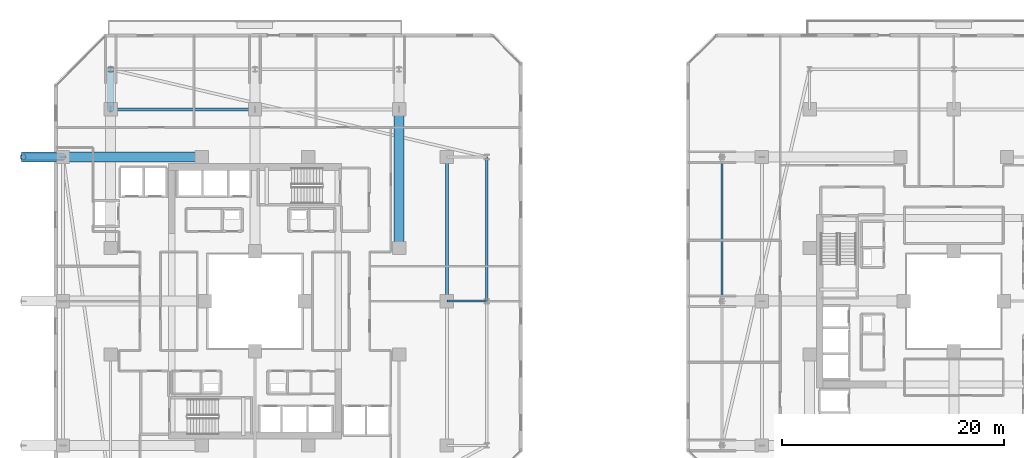
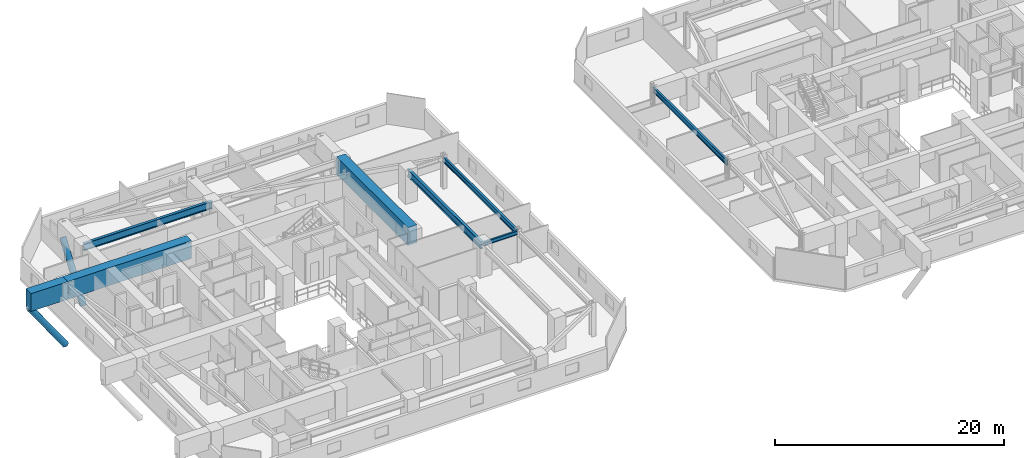
# One storey, part 7 of 36: 8 beams, 2 members.
"""IFC4 building model written with IfcOpenShell, lengths in metres."""

from ifc_helpers import new_model, si_unit, direction, frame, origin, origin_2d, place, context, subcontext, project, spatial, rectangle, hollow_circle, i_section, extrude, material, material_profile, profile_set, type_object, element, save


model = new_model("IFC4")

# Units and contexts
model_context = context("Model", 3, precision=1e-05, world=origin(), true_north=direction((0.0, 1.0)))
body_context = subcontext(model_context, "Body", "Model", "MODEL_VIEW")
ifc_project = project(units=[si_unit("LENGTHUNIT", "METRE"), si_unit("AREAUNIT", "SQUARE_METRE"), si_unit("VOLUMEUNIT", "CUBIC_METRE"), si_unit("PLANEANGLEUNIT", "RADIAN"), si_unit("MASSUNIT", "GRAM", prefix="KILO")], contexts=[model_context])

# Site, building, storey
site_placement = place(None, origin())
site = spatial("IfcSite", under=ifc_project, at=site_placement, CompositionType="ELEMENT")
building_placement = place(site_placement, origin())
building = spatial("IfcBuilding", under=site, at=building_placement, Name="Thornwick Lancets Civic Towers", CompositionType="ELEMENT")
storey_placement = place(building_placement, frame((0.0, 0.0, 94.5)))
storey = spatial("IfcBuildingStorey", under=building, at=storey_placement, Name="L24", CompositionType="ELEMENT", Elevation=94.5)

# Beams
ifc_material_1 = material(Name="Steel S355JR", Category="steel")
ifc_material_profile_1 = material_profile(ifc_material_1, i_section(OverallWidth=0.2119140625, OverallDepth=0.54443359375, WebThickness=0.0126953125, FlangeThickness=0.021240234375, FilletRadius=0.0126953125, at=origin_2d()), Name="UKB 533x210x122")
ifc_profile_set_1 = profile_set([ifc_material_profile_1], Name="Steel S355JR")
beam_type_1 = type_object("IfcBeamType", Name="BM_EDGE_533_122", PredefinedType="SPANDREL", material=ifc_profile_set_1)
for number, where, z_axis, x_axis, name in (
    (1, (46.39990234375, 27.080078125, 3.047607421875), (0.0, 1.0, 0.0), (-1.0, 0.0, 0.0), "BM-EDGE-L24-A-S1-2"),
    (2, (67.60009765625, 27.080078125, 3.047607421875), (0.0, 1.0, 0.0), (-1.0, 0.0, 0.0), "BM-EDGE-L24-B-S2-2"),
):
    element("IfcBeam", number, at=place(storey_placement, frame(where, z_axis=z_axis, x_axis=x_axis)), inside=storey, type_object=beam_type_1, Name=name, PredefinedType="SPANDREL", context=body_context, shape_type="SweptSolid", body=[
        extrude(i_section(OverallWidth=0.2119140625, OverallDepth=0.54443359375, WebThickness=0.0126953125, FlangeThickness=0.021240234375, FilletRadius=0.0126953125, at=origin_2d()), origin(), (0.0, 0.0, 1.0), 12.919921875),
    ])
ifc_material_profile_2 = material_profile(ifc_material_1, i_section(OverallWidth=0.26806640625, OverallDepth=0.769775390625, WebThickness=0.015625, FlangeThickness=0.025390625, FilletRadius=0.0166015625, at=origin_2d()), Name="UKB 762x267x197")
ifc_profile_set_2 = profile_set([ifc_material_profile_2], Name="Steel S355JR")
beam_type_2 = type_object("IfcBeamType", Name="BM_GIRD_762_197", PredefinedType="BEAM", material=ifc_profile_set_2)
beam_1_placement = place(storey_placement, frame((42.800048828125, 27.080078125, 2.93505859375), z_axis=(0.0, 1.0, 0.0), x_axis=(-1.0, 0.0, 0.0)))
element("IfcBeam", 3, at=beam_1_placement, inside=storey, type_object=beam_type_2, Name="BM-SPINE-L24-A-4-5", PredefinedType="BEAM", context=body_context, shape_type="SweptSolid", body=[
    extrude(i_section(OverallWidth=0.26806640625, OverallDepth=0.769775390625, WebThickness=0.015625, FlangeThickness=0.025390625, FilletRadius=0.0166015625, at=origin_2d()), origin(), (0.0, 0.0, 1.0), 12.919921875),
])
beam_2_placement = place(storey_placement, frame((12.5, 44.300048828125, 2.93505859375), z_axis=(1.0, 0.0, 0.0), x_axis=(0.0, 1.0, 0.0)))
element("IfcBeam", 4, at=beam_2_placement, inside=storey, type_object=beam_type_2, Name="BM-SPINE-L24-A-6-7", PredefinedType="BEAM", context=body_context, shape_type="SweptSolid", body=[
    extrude(i_section(OverallWidth=0.26806640625, OverallDepth=0.769775390625, WebThickness=0.015625, FlangeThickness=0.025390625, FilletRadius=0.0166015625, at=origin_2d()), origin(), (0.0, 0.0, 1.0), 13.0),
])
ifc_material_profile_3 = material_profile(ifc_material_1, i_section(OverallWidth=0.179443359375, OverallDepth=0.412841796875, WebThickness=0.009521484375, FlangeThickness=0.01611328125, FilletRadius=0.01025390625, at=origin_2d()), Name="UKB 406x178x74")
ifc_profile_set_3 = profile_set([ifc_material_profile_3], Name="Steel S355JR")
beam_type_3 = type_object("IfcBeamType", Name="BM_JOIST_406_74", PredefinedType="JOIST", material=ifc_profile_set_3)
beam_3_placement = place(storey_placement, frame((42.800048828125, 27.0, 3.113525390625), z_axis=(1.0, 0.0, 0.0), x_axis=(0.0, 1.0, 0.0)))
element("IfcBeam", 5, at=beam_3_placement, inside=storey, type_object=beam_type_3, Name="BM-RAD-L24-A05", PredefinedType="JOIST", context=body_context, shape_type="SweptSolid", body=[
    extrude(i_section(OverallWidth=0.179443359375, OverallDepth=0.412841796875, WebThickness=0.009521484375, FlangeThickness=0.01611328125, FilletRadius=0.01025390625, at=origin_2d()), origin(), (0.0, 0.0, 1.0), 3.599853515625),
])
ifc_material_2 = material(Name="Concrete C60/75", Category="concrete")
ifc_material_profile_4 = material_profile(ifc_material_2, rectangle(XDim=0.89990234375, YDim=1.89990234375, at=origin_2d()), Name="RC 900x1900")
ifc_profile_set_4 = profile_set([ifc_material_profile_4], Name="Concrete C60/75")
beam_type_4 = type_object("IfcBeamType", Name="BM_TR_RC1900", PredefinedType="BEAM", material=ifc_profile_set_4)
for number, where, z_axis, x_axis, name in (
    (6, (38.5, 31.800048828125, 2.64990234375), (0.0, 1.0, 0.0), (-1.0, 0.0, 0.0), "TG-BACK-L25-A09"),
    (7, (20.699951171875, 40.0, 2.64990234375), (-1.0, 0.0, 0.0), (0.0, -1.0, 0.0), "TG-BACK-L25-A12"),
):
    element("IfcBeam", number, at=place(storey_placement, frame(where, z_axis=z_axis, x_axis=x_axis)), inside=storey, type_object=beam_type_4, Name=name, PredefinedType="BEAM", context=body_context, shape_type="SweptSolid", body=[
        extrude(rectangle(XDim=0.89990234375, YDim=1.89990234375, at=origin_2d()), origin(), (0.0, 0.0, 1.0), 12.5),
    ])
beam_4_placement = place(storey_placement, frame((8.199951171875, 40.0, 2.64990234375), z_axis=(-1.0, 0.0, 0.0), x_axis=(0.0, -1.0, 0.0)))
element("IfcBeam", 8, at=beam_4_placement, inside=storey, type_object=beam_type_4, Name="TG-CANT-L25-A12", PredefinedType="BEAM", context=body_context, shape_type="SweptSolid", body=[
    extrude(rectangle(XDim=0.89990234375, YDim=1.89990234375, at=origin_2d()), origin(), (0.0, 0.0, 1.0), 3.719970703125),
])

# Members
ifc_material_3 = material(Name="Steel S460M", Category="steel")
ifc_material_profile_5 = material_profile(ifc_material_3, hollow_circle(Radius=0.304931640625, WallThickness=0.030029296875, at=origin_2d()), Name="CHS 610x30")
ifc_profile_set_5 = profile_set([ifc_material_profile_5], Name="Steel S460M")
member_type = type_object("IfcMemberType", Name="MEM_STRUT_CHS610", PredefinedType="STRUT", material=ifc_profile_set_5)
for number, where, z_axis, x_axis, name in (
    (9, (12.5, 44.300048828125, -3.35009765625), (0.0, 0.574400563042, 0.818574366308), (-1.0, 0.0, 0.0), "L25 Jenga Transfer Raking Strut A07"),
    (10, (8.199951171875, 40.0, -3.35009765625), (-0.574400563042, 0.0, 0.818574366308), (0.0, -1.0, 0.0), "L25 Jenga Transfer Raking Strut A12"),
):
    element("IfcMember", number, at=place(storey_placement, frame(where, z_axis=z_axis, x_axis=x_axis)), inside=storey, type_object=member_type, Name=name, PredefinedType="STRUT", context=body_context, shape_type="SweptSolid", body=[
        extrude(hollow_circle(Radius=0.304931640625, WallThickness=0.030029296875, at=origin_2d()), origin(), (0.0, 0.0, 1.0), 6.26708984375),
    ])

save(model, "model.ifc")
